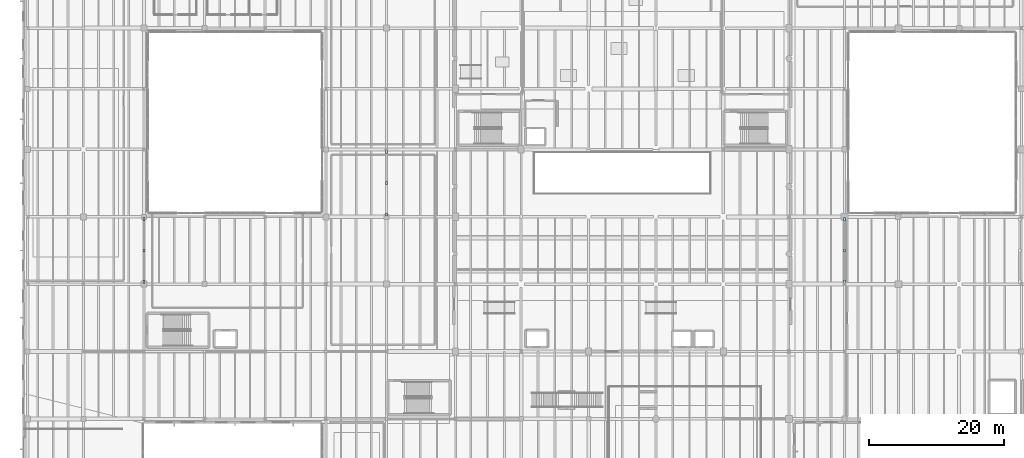
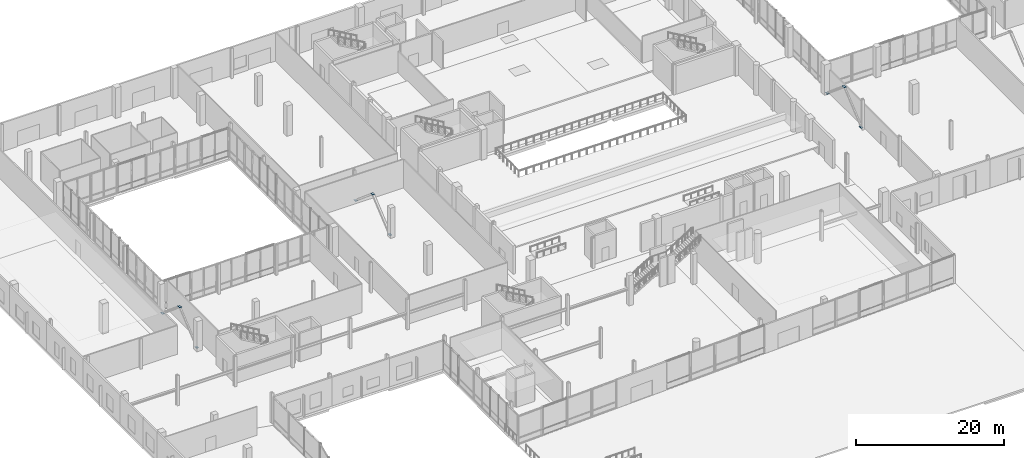
# One storey, part 65 of 88: 9 plates.
"""IFC4 building model written with IfcOpenShell, lengths in metres."""

from ifc_helpers import new_model, si_unit, direction, frame, origin, origin_2d, place, context, subcontext, project, spatial, rectangle, extrude, material, layer, layer_set, type_object, element, save


model = new_model("IFC4")

# Units and contexts
model_context = context("Model", 3, precision=1e-05, world=origin(), true_north=direction((0.0, 1.0)))
body_context = subcontext(model_context, "Body", "Model", "MODEL_VIEW")
ifc_project = project(units=[si_unit("LENGTHUNIT", "METRE"), si_unit("AREAUNIT", "SQUARE_METRE"), si_unit("VOLUMEUNIT", "CUBIC_METRE"), si_unit("PLANEANGLEUNIT", "RADIAN"), si_unit("MASSUNIT", "GRAM", prefix="KILO")], contexts=[model_context])

# Site, building, storey
site_placement = place(None, origin())
site = spatial("IfcSite", under=ifc_project, at=site_placement, CompositionType="ELEMENT")
building_placement = place(site_placement, origin())
building = spatial("IfcBuilding", under=site, at=building_placement, Name="Trimount Lyric Opera House", CompositionType="ELEMENT")
storey_placement = place(building_placement, origin())
storey = spatial("IfcBuildingStorey", under=building, at=storey_placement, Name="L00", CompositionType="ELEMENT", Elevation=0.0)

# Plates
ifc_material = material(Name="Steel ASTM A572 Grade 50", Category="steel")
ifc_layer = layer(ifc_material, 0.02490234375)
ifc_layer_set = layer_set([ifc_layer], Name="KN-02")
plate_type = type_object("IfcPlateType", Name="KN-02", PredefinedType="USERDEFINED", material=ifc_layer_set)
for number, where, z_axis, x_axis, name in (
    (1, (18.0, 64.35009765625, 0.137451171875), (0.0, 0.0, 1.0), (0.0, 1.0, 0.0), "L00 brace BRC-BF-1-L00-L1 end gusset plate A"),
    (2, (18.0, 69.0, 4.03759765625), (0.0, 0.0, 1.0), (0.0, 1.0, 0.0), "L00 brace BRC-BF-1-L00-L1 end gusset plate B"),
    (3, (18.0, 73.64990234375, 0.137451171875), (0.0, 0.0, 1.0), (0.0, -1.0, 0.0), "L00 brace BRC-BF-1-L00-L2 end gusset plate A"),
    (4, (54.0, 74.35009765625, 0.137451171875), (0.0, 0.0, 1.0), (0.0, 1.0, 0.0), "L00 brace BRC-BF-2-L00-L1 end gusset plate A"),
    (5, (54.0, 79.0, 4.03759765625), (0.0, 0.0, 1.0), (0.0, 1.0, 0.0), "L00 brace BRC-BF-2-L00-L1 end gusset plate B"),
    (6, (54.0, 83.64990234375, 0.137451171875), (0.0, 0.0, 1.0), (0.0, -1.0, 0.0), "L00 brace BRC-BF-2-L00-L2 end gusset plate A"),
    (7, (122.0, 64.35009765625, 0.137451171875), (0.0, 0.0, 1.0), (0.0, 1.0, 0.0), "L00 brace BRC-BF-3-L00-L1 end gusset plate A"),
    (8, (122.0, 69.0, 4.03759765625), (0.0, 0.0, 1.0), (0.0, 1.0, 0.0), "L00 brace BRC-BF-3-L00-L1 end gusset plate B"),
    (9, (122.0, 73.64990234375, 0.137451171875), (0.0, 0.0, 1.0), (0.0, -1.0, 0.0), "L00 brace BRC-BF-3-L00-L2 end gusset plate A"),
):
    element("IfcPlate", number, at=place(storey_placement, frame(where, z_axis=z_axis, x_axis=x_axis)), inside=storey, type_object=plate_type, Name=name, ObjectType="GUSSET_PLATE", PredefinedType="USERDEFINED", context=body_context, shape_type="SweptSolid", body=[
        extrude(rectangle(XDim=0.47998046875, YDim=0.340087890625, at=origin_2d()), origin(), (0.0, 0.0, 1.0), 0.02490234375),
    ])

save(model, "model.ifc")
